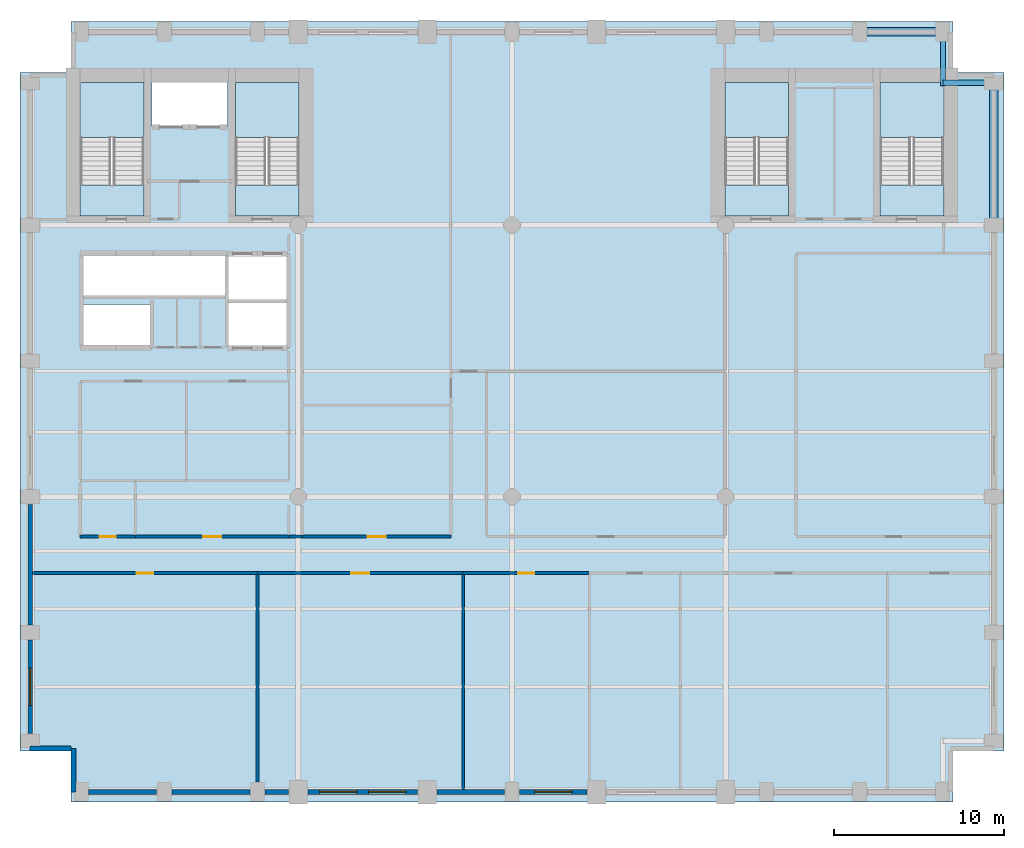
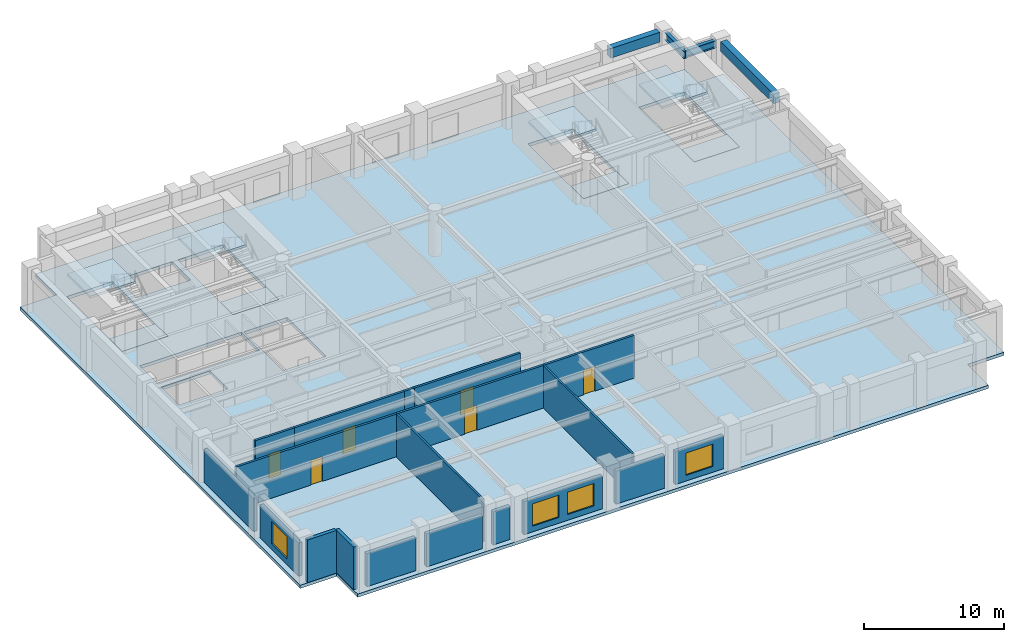
# One storey, part 2 of 8: 19 walls, 9 slabs, 6 doors, 4 beams, 4 windows, 10 openings, 4 elements without a shape of their own.
"""IFC4 building model written with IfcOpenShell, lengths in metres."""

from ifc_helpers import new_model, si_unit, direction, frame, frame_2d, origin, origin_2d, place, context, subcontext, project, spatial, polyline, rectangle, i_section, outline, extrude, material, layer, layer_set, material_profile, profile_set, type_object, element, fill, aggregate, save


model = new_model("IFC4")

# Units and contexts
model_context = context("Model", 3, precision=1e-05, world=origin(), true_north=direction((0.0, 1.0)))
body_context = subcontext(model_context, "Body", "Model", "MODEL_VIEW")
ifc_project = project(units=[si_unit("LENGTHUNIT", "METRE"), si_unit("AREAUNIT", "SQUARE_METRE"), si_unit("VOLUMEUNIT", "CUBIC_METRE"), si_unit("PLANEANGLEUNIT", "RADIAN"), si_unit("MASSUNIT", "GRAM", prefix="KILO")], contexts=[model_context])

# Site, building, storey
site_placement = place(None, origin())
site = spatial("IfcSite", under=ifc_project, at=site_placement, CompositionType="ELEMENT")
building_placement = place(site_placement, origin())
building = spatial("IfcBuilding", under=site, at=building_placement, Name="Sulina Concourse Tower", CompositionType="ELEMENT")
storey_placement = place(building_placement, frame((0.0, 0.0, 116.60009765625)))
storey = spatial("IfcBuildingStorey", under=building, at=storey_placement, Name="L28", CompositionType="ELEMENT", Elevation=116.60009765625)

# Beams
ifc_material_1 = material(Name="Steel S355", Category="steel")
ifc_material_profile_1 = material_profile(ifc_material_1, i_section(OverallWidth=0.300048828125, OverallDepth=0.64990234375, WebThickness=0.01611328125, FlangeThickness=0.031005859375, at=origin_2d()), Name="HE 650 B")
ifc_profile_set_1 = profile_set([ifc_material_profile_1], Name="Steel S355")
beam_type_1 = type_object("IfcBeamType", Name="Floor Primary Girder Zone 2 HE650B", PredefinedType="BEAM", material=ifc_profile_set_1)
beam_1_placement = place(storey_placement, frame((54.39990234375, 42.39990234375, 3.39990234375), z_axis=(1.0, 0.0, 0.0), x_axis=(0.0, 1.0, 0.0)))
element("IfcBeam", 1, at=beam_1_placement, inside=storey, type_object=beam_type_1, Name="TIE-NE-L28", PredefinedType="BEAM", context=body_context, shape_type="SweptSolid", body=[
    extrude(i_section(OverallWidth=0.300048828125, OverallDepth=0.64990234375, WebThickness=0.01611328125, FlangeThickness=0.031005859375, at=origin_2d()), origin(), (0.0, 0.0, 1.0), 2.59521484375),
])
beam_2_placement = place(storey_placement, frame((54.39990234375, 42.199951171875, 3.39990234375), z_axis=(0.0, 1.0, 0.0), x_axis=(-1.0, 0.0, 0.0)))
element("IfcBeam", 2, at=beam_2_placement, inside=storey, type_object=beam_type_1, Name="TIE-NEN-L28", PredefinedType="BEAM", context=body_context, shape_type="SweptSolid", body=[
    extrude(i_section(OverallWidth=0.300048828125, OverallDepth=0.64990234375, WebThickness=0.01611328125, FlangeThickness=0.031005859375, at=origin_2d()), origin(), (0.0, 0.0, 1.0), 2.795166015625),
])
ifc_material_2 = material(Name="Precast concrete C50/60", Category="concrete")
ifc_material_profile_2 = material_profile(ifc_material_2, rectangle(XDim=0.5, YDim=0.85009765625, at=origin_2d()), Name="RC 500x850")
ifc_profile_set_2 = profile_set([ifc_material_profile_2], Name="Precast concrete C50/60")
beam_type_2 = type_object("IfcBeamType", Name="Lower Precast Spandrel Edge Beam 500x850", PredefinedType="BEAM", material=ifc_profile_set_2)
beam_3_placement = place(storey_placement, frame((49.905029296875, 45.39990234375, 3.2998046875), z_axis=(1.0, 0.0, 0.0), x_axis=(0.0, 1.0, 0.0)))
element("IfcBeam", 3, at=beam_3_placement, inside=storey, type_object=beam_type_2, Name="SP-N10-L28", PredefinedType="BEAM", context=body_context, shape_type="SweptSolid", body=[
    extrude(rectangle(XDim=0.5, YDim=0.85009765625, at=origin_2d()), origin(), (0.0, 0.0, 1.0), 4.090087890625),
])
beam_4_placement = place(storey_placement, frame((57.39990234375, 34.405029296875, 3.2998046875), z_axis=(0.0, 1.0, 0.0), x_axis=(-1.0, 0.0, 0.0)))
element("IfcBeam", 4, at=beam_4_placement, inside=storey, type_object=beam_type_2, Name="SP-E5-L28", PredefinedType="BEAM", context=body_context, shape_type="SweptSolid", body=[
    extrude(rectangle(XDim=0.5, YDim=0.85009765625, at=origin_2d()), origin(), (0.0, 0.0, 1.0), 7.590087890625),
])

# Slabs
ifc_material_3 = material(Name="Concrete C50/60", Category="concrete")
ifc_layer_1 = layer(ifc_material_3, 0.27490234375)
ifc_layer_set_1 = layer_set([ifc_layer_1], Name="Concrete C50/60")
slab_type_1 = type_object("IfcSlabType", Name="Mid-Rise Composite Floor Slab 275mm", PredefinedType="FLOOR", material=ifc_layer_set_1)
slab_1_placement = place(storey_placement, frame((0.0, 0.0, -0.275146484375)))
element("IfcSlab", 5, at=slab_1_placement, inside=storey, type_object=slab_type_1, Name="L28 structural floor slab", PredefinedType="FLOOR", context=body_context, shape_type="SweptSolid", body=[
    extrude(outline(polyline([(3.0, 0.0), (55.0, 0.0), (55.0, 3.0), (58.0, 3.0), (58.0, 43.0), (55.0, 43.0), (55.0, 46.0), (3.0, 46.0), (3.0, 43.0), (0.0, 43.0), (0.0, 3.0), (3.0, 3.0), (3.0, 0.0)]), holes=[polyline([(7.31005859375, 34.550048828125), (7.31005859375, 42.429931640625), (3.550048828125, 42.429931640625), (3.550048828125, 34.550048828125), (7.31005859375, 34.550048828125)]), polyline([(16.449951171875, 34.550048828125), (16.449951171875, 42.429931640625), (12.68994140625, 42.429931640625), (12.68994140625, 34.550048828125), (16.449951171875, 34.550048828125)]), polyline([(45.31005859375, 34.550048828125), (45.31005859375, 42.429931640625), (41.550048828125, 42.429931640625), (41.550048828125, 34.550048828125), (45.31005859375, 34.550048828125)]), polyline([(54.449951171875, 34.550048828125), (54.449951171875, 42.429931640625), (50.68994140625, 42.429931640625), (50.68994140625, 34.550048828125), (54.449951171875, 34.550048828125)]), polyline([(7.780029296875, 39.830078125), (12.219970703125, 39.830078125), (12.219970703125, 42.449951171875), (7.780029296875, 42.449951171875), (7.780029296875, 39.830078125)]), polyline([(3.739990234375, 26.780029296875), (7.77001953125, 26.780029296875), (7.77001953125, 29.320068359375), (3.739990234375, 29.320068359375), (3.739990234375, 26.780029296875)]), polyline([(3.739990234375, 29.780029296875), (12.10009765625, 29.780029296875), (12.10009765625, 32.3701171875), (3.739990234375, 32.3701171875), (3.739990234375, 29.780029296875)]), polyline([(12.280029296875, 26.780029296875), (15.85009765625, 26.780029296875), (15.85009765625, 32.320068359375), (12.280029296875, 32.320068359375), (12.280029296875, 26.780029296875)])]), origin(), (0.0, 0.0, 1.0), 0.275146484375),
])
ifc_material_4 = material(Name="Concrete C50/60", Category="concrete")
ifc_layer_2 = layer(ifc_material_4, 0.199951171875)
ifc_layer_set_2 = layer_set([ifc_layer_2], Name="Concrete C50/60")
slab_type_2 = type_object("IfcSlabType", Name="Primary Core Stair Landing Slab 200mm", PredefinedType="LANDING", material=ifc_layer_set_2)
slab_2_placement = place(storey_placement, frame((0.0, 0.0, -0.2001953125)))
element("IfcSlab", 6, at=slab_2_placement, inside=storey, type_object=slab_type_2, Name="L28 ST-1 floor landing slab", PredefinedType="LANDING", context=body_context, shape_type="SweptSolid", body=[
    extrude(outline(polyline([(7.31005859375, 34.550048828125), (7.31005859375, 36.375), (3.550048828125, 36.375), (3.550048828125, 34.550048828125), (7.31005859375, 34.550048828125)])), origin(), (0.0, 0.0, 1.0), 0.2001953125),
])
slab_3_placement = place(storey_placement, frame((0.0, 0.0, -0.2001953125)))
element("IfcSlab", 7, at=slab_3_placement, inside=storey, type_object=slab_type_2, Name="L28 ST-2 floor landing slab", PredefinedType="LANDING", context=body_context, shape_type="SweptSolid", body=[
    extrude(outline(polyline([(16.449951171875, 34.550048828125), (16.449951171875, 36.375), (12.68994140625, 36.375), (12.68994140625, 34.550048828125), (16.449951171875, 34.550048828125)])), origin(), (0.0, 0.0, 1.0), 0.2001953125),
])
slab_4_placement = place(storey_placement, frame((0.0, 0.0, -0.2001953125)))
element("IfcSlab", 8, at=slab_4_placement, inside=storey, type_object=slab_type_2, Name="L28 ST-3 floor landing slab", PredefinedType="LANDING", context=body_context, shape_type="SweptSolid", body=[
    extrude(outline(polyline([(45.31005859375, 34.550048828125), (45.31005859375, 36.375), (41.550048828125, 36.375), (41.550048828125, 34.550048828125), (45.31005859375, 34.550048828125)])), origin(), (0.0, 0.0, 1.0), 0.2001953125),
])
slab_5_placement = place(storey_placement, frame((0.0, 0.0, -0.2001953125)))
element("IfcSlab", 9, at=slab_5_placement, inside=storey, type_object=slab_type_2, Name="L28 ST-4 floor landing slab", PredefinedType="LANDING", context=body_context, shape_type="SweptSolid", body=[
    extrude(outline(polyline([(54.449951171875, 34.550048828125), (54.449951171875, 36.375), (50.68994140625, 36.375), (50.68994140625, 34.550048828125), (54.449951171875, 34.550048828125)])), origin(), (0.0, 0.0, 1.0), 0.2001953125),
])

# Stair, slab
ifc_material_5 = material(Name="Concrete C50/60", Category="concrete")
stair_type_1 = type_object("IfcStairType", Name="Primary Core Dog-Leg Exit Stair 1800mm", PredefinedType="HALF_TURN_STAIR", material=ifc_material_5)
stair_1_placement = place(storey_placement, origin())
stair_1 = element("IfcStair", 10, at=stair_1_placement, inside=storey, type_object=stair_type_1, Name="L28 ST-1", PredefinedType="HALF_TURN_STAIR")
slab_6_placement = place(storey_placement, frame((0.0, 0.0, 1.7998046875)))
slab_6 = element("IfcSlab", 11, at=slab_6_placement, type_object=slab_type_2, Name="ST-1 landing 1", PredefinedType="LANDING", context=body_context, shape_type="SweptSolid", body=[
    extrude(outline(polyline([(7.304931640625, 39.175048828125), (7.304931640625, 42.425048828125), (3.554931640625, 42.425048828125), (3.554931640625, 39.175048828125), (7.304931640625, 39.175048828125)])), origin(), (0.0, 0.0, 1.0), 0.2001953125),
])
aggregate(stair_1, [slab_6])

stair_2_placement = place(storey_placement, origin())
stair_2 = element("IfcStair", 12, at=stair_2_placement, inside=storey, type_object=stair_type_1, Name="L28 ST-2", PredefinedType="HALF_TURN_STAIR")
slab_7_placement = place(storey_placement, frame((0.0, 0.0, 1.7998046875)))
slab_7 = element("IfcSlab", 13, at=slab_7_placement, type_object=slab_type_2, Name="ST-2 landing 1", PredefinedType="LANDING", context=body_context, shape_type="SweptSolid", body=[
    extrude(outline(polyline([(16.445068359375, 39.175048828125), (16.445068359375, 42.425048828125), (12.695068359375, 42.425048828125), (12.695068359375, 39.175048828125), (16.445068359375, 39.175048828125)])), origin(), (0.0, 0.0, 1.0), 0.2001953125),
])
aggregate(stair_2, [slab_7])

ifc_material_6 = material(Name="Concrete C50/60", Category="concrete")
stair_type_2 = type_object("IfcStairType", Name="Portal & Podium Core Exit Stair 1820mm", PredefinedType="HALF_TURN_STAIR", material=ifc_material_6)
stair_3_placement = place(storey_placement, origin())
stair_3 = element("IfcStair", 14, at=stair_3_placement, inside=storey, type_object=stair_type_2, Name="L28 ST-3", PredefinedType="HALF_TURN_STAIR")
slab_8_placement = place(storey_placement, frame((0.0, 0.0, 1.7998046875)))
slab_8 = element("IfcSlab", 15, at=slab_8_placement, type_object=slab_type_2, Name="ST-3 landing 1", PredefinedType="LANDING", context=body_context, shape_type="SweptSolid", body=[
    extrude(outline(polyline([(45.304931640625, 39.175048828125), (45.304931640625, 42.425048828125), (41.554931640625, 42.425048828125), (41.554931640625, 39.175048828125), (45.304931640625, 39.175048828125)])), origin(), (0.0, 0.0, 1.0), 0.2001953125),
])
aggregate(stair_3, [slab_8])

stair_4_placement = place(storey_placement, origin())
stair_4 = element("IfcStair", 16, at=stair_4_placement, inside=storey, type_object=stair_type_2, Name="L28 ST-4", PredefinedType="HALF_TURN_STAIR")
slab_9_placement = place(storey_placement, frame((0.0, 0.0, 1.7998046875)))
slab_9 = element("IfcSlab", 17, at=slab_9_placement, type_object=slab_type_2, Name="ST-4 landing 1", PredefinedType="LANDING", context=body_context, shape_type="SweptSolid", body=[
    extrude(outline(polyline([(54.445068359375, 39.175048828125), (54.445068359375, 42.425048828125), (50.695068359375, 42.425048828125), (50.695068359375, 39.175048828125), (54.445068359375, 39.175048828125)])), origin(), (0.0, 0.0, 1.0), 0.2001953125),
])
aggregate(stair_4, [slab_9])

# Walls
ifc_material_7 = material(Name="Gypsum board on steel stud", Category="steel")
ifc_layer_3 = layer(ifc_material_7, 0.14990234375)
ifc_layer_set_3 = layer_set([ifc_layer_3], Name="Gypsum board on steel stud")
wall_type_1 = type_object("IfcWallType", Name="Inter-Tenancy Acoustic Partition 150mm", PredefinedType="PARTITIONING", material=ifc_layer_set_3)
wall_1_placement = place(storey_placement, frame((14.0, 1.175048828125, 0.0), z_axis=(0.0, 0.0, 1.0), x_axis=(0.0, 1.0, 0.0)))
element("IfcWall", 18, at=wall_1_placement, inside=storey, type_object=wall_type_1, Name="L28 interior partition 037", PredefinedType="PARTITIONING", context=body_context, shape_type="SweptSolid", body=[
    extrude(rectangle(XDim=12.23486328125, YDim=0.14990234375, at=frame_2d((6.117431640625, 0.0))), origin(), (0.0, 0.0, 1.0), 3.724853515625),
])
wall_2_placement = place(storey_placement, frame((26.1201171875, 0.739990234375, 0.0), z_axis=(0.0, 0.0, 1.0), x_axis=(0.0, 1.0, 0.0)))
element("IfcWall", 19, at=wall_2_placement, inside=storey, type_object=wall_type_1, Name="L28 interior partition 048", PredefinedType="PARTITIONING", context=body_context, shape_type="SweptSolid", body=[
    extrude(rectangle(XDim=12.669921875, YDim=0.14990234375, at=frame_2d((6.3349609375, 0.0))), origin(), (0.0, 0.0, 1.0), 3.724853515625),
])

# Wall, opening, door
ifc_material_8 = material(Name="Gypsum board on steel stud", Category="steel")
ifc_layer_4 = layer(ifc_material_8, 0.179931640625)
ifc_layer_set_4 = layer_set([ifc_layer_4], Name="Gypsum board on steel stud")
wall_type_2 = type_object("IfcWallType", Name="Protected Corridor & Riser Partition 180mm", PredefinedType="PARTITIONING", material=ifc_layer_set_4)
wall_3_placement = place(storey_placement, frame((0.739990234375, 13.5, 0.0), z_axis=(0.0, 0.0, 1.0), x_axis=(1.0, 0.0, 0.0)))
wall_3 = element("IfcWall", 20, at=wall_3_placement, inside=storey, type_object=wall_type_2, Name="L28 interior partition 001", PredefinedType="PARTITIONING", context=body_context, shape_type="SweptSolid", body=[
    extrude(rectangle(XDim=13.260009765625, YDim=0.179931640625, at=frame_2d((6.6298828125, 0.0))), origin(), (0.0, 0.0, 1.0), 3.724853515625),
])
opening_1_placement = place(wall_3_placement, frame((6.155029296875, 0.0, 0.0)))
opening_1 = element("IfcOpeningElement", 21, at=opening_1_placement, cuts=wall_3, Name="Opening DR-19", PredefinedType="OPENING", context=body_context, shape_type="SweptSolid", body=[
    extrude(rectangle(XDim=0.949951171875, YDim=2.14990234375, at=frame_2d((0.47509765625, 1.074951171875))), frame((0.0, 0.099853515625, 0.0), z_axis=(0.0, -1.0, 0.0), x_axis=(1.0, 0.0, 0.0)), (0.0, 0.0, 1.0), 0.199951171875),
])
ifc_material_9 = material(Name="Oak-veneered acoustic timber leaf", Category="wood")
ifc_layer_5 = layer(ifc_material_9, 0.050048828125)
ifc_layer_set_5 = layer_set([ifc_layer_5], Name="Oak-veneered acoustic timber leaf")
door_type_1 = type_object("IfcDoorType", Name="Cellular Office & Meeting Door 950x2150", OperationType="NOTDEFINED", PredefinedType="DOOR", material=ifc_layer_set_5)
door_1_placement = place(opening_1_placement, origin())
door_1 = element("IfcDoor", 22, at=door_1_placement, inside=storey, type_object=door_type_1, Name="L28 interior door L28-S01", OperationType="SINGLE_SWING_RIGHT", OverallHeight=2.14990234375, OverallWidth=0.949951171875, PredefinedType="DOOR", context=body_context, shape_type="SweptSolid", body=[
    extrude(rectangle(XDim=0.949951171875, YDim=2.14990234375, at=frame_2d((0.47509765625, 1.074951171875))), frame((0.0, 0.02490234375, 0.0), z_axis=(0.0, -1.0, 0.0), x_axis=(1.0, 0.0, 0.0)), (0.0, 0.0, 1.0), 0.050048828125),
])
fill(opening_1, door_1)

wall_4_placement = place(storey_placement, frame((14.0, 13.5, 0.0), z_axis=(0.0, 0.0, 1.0), x_axis=(1.0, 0.0, 0.0)))
wall_4 = element("IfcWall", 23, at=wall_4_placement, inside=storey, type_object=wall_type_2, Name="L28 interior partition 002", PredefinedType="PARTITIONING", context=body_context, shape_type="SweptSolid", body=[
    extrude(rectangle(XDim=12.1201171875, YDim=0.179931640625, at=frame_2d((6.06005859375, 0.0))), origin(), (0.0, 0.0, 1.0), 3.724853515625),
])
opening_2_placement = place(wall_4_placement, frame((5.534912109375, 0.0, 0.0)))
opening_2 = element("IfcOpeningElement", 24, at=opening_2_placement, cuts=wall_4, Name="Opening DR-37", PredefinedType="OPENING", context=body_context, shape_type="SweptSolid", body=[
    extrude(rectangle(XDim=1.050048828125, YDim=2.14990234375, at=frame_2d((0.52490234375, 1.074951171875))), frame((0.0, 0.099853515625, 0.0), z_axis=(0.0, -1.0, 0.0), x_axis=(1.0, 0.0, 0.0)), (0.0, 0.0, 1.0), 0.199951171875),
])
ifc_material_10 = material(Name="Oak-veneered fire door leaf")
ifc_layer_6 = layer(ifc_material_10, 0.050048828125)
ifc_layer_set_6 = layer_set([ifc_layer_6], Name="Oak-veneered fire door leaf")
door_type_2 = type_object("IfcDoorType", Name="Tenant Suite Entrance Fire Door 1050x2150", OperationType="NOTDEFINED", PredefinedType="DOOR", material=ifc_layer_set_6)
door_2_placement = place(opening_2_placement, origin())
door_2 = element("IfcDoor", 25, at=door_2_placement, inside=storey, type_object=door_type_2, Name="L28 interior door L28-S02", OperationType="SINGLE_SWING_LEFT", OverallHeight=2.14990234375, OverallWidth=1.050048828125, PredefinedType="DOOR", context=body_context, shape_type="SweptSolid", body=[
    extrude(rectangle(XDim=1.050048828125, YDim=2.14990234375, at=frame_2d((0.52490234375, 1.074951171875))), frame((0.0, 0.02490234375, 0.0), z_axis=(0.0, -1.0, 0.0), x_axis=(1.0, 0.0, 0.0)), (0.0, 0.0, 1.0), 0.050048828125),
])
fill(opening_2, door_2)

wall_5_placement = place(storey_placement, frame((26.1201171875, 13.5, 0.0), z_axis=(0.0, 0.0, 1.0), x_axis=(1.0, 0.0, 0.0)))
wall_5 = element("IfcWall", 26, at=wall_5_placement, inside=storey, type_object=wall_type_2, Name="L28 interior partition 003", PredefinedType="PARTITIONING", context=body_context, shape_type="SweptSolid", body=[
    extrude(rectangle(XDim=7.419921875, YDim=0.179931640625, at=frame_2d((3.7099609375, 0.0))), origin(), (0.0, 0.0, 1.0), 3.724853515625),
])
opening_3_placement = place(wall_5_placement, frame((3.235107421875, 0.0, 0.0)))
opening_3 = element("IfcOpeningElement", 27, at=opening_3_placement, cuts=wall_5, Name="Opening DR-19", PredefinedType="OPENING", context=body_context, shape_type="SweptSolid", body=[
    extrude(rectangle(XDim=0.949951171875, YDim=2.14990234375, at=frame_2d((0.47509765625, 1.074951171875))), frame((0.0, 0.099853515625, 0.0), z_axis=(0.0, -1.0, 0.0), x_axis=(1.0, 0.0, 0.0)), (0.0, 0.0, 1.0), 0.199951171875),
])
door_3_placement = place(opening_3_placement, origin())
door_3 = element("IfcDoor", 28, at=door_3_placement, inside=storey, type_object=door_type_1, Name="L28 interior door L28-S03A", OperationType="SINGLE_SWING_RIGHT", OverallHeight=2.14990234375, OverallWidth=0.949951171875, PredefinedType="DOOR", context=body_context, shape_type="SweptSolid", body=[
    extrude(rectangle(XDim=0.949951171875, YDim=2.14990234375, at=frame_2d((0.47509765625, 1.074951171875))), frame((0.0, 0.02490234375, 0.0), z_axis=(0.0, -1.0, 0.0), x_axis=(1.0, 0.0, 0.0)), (0.0, 0.0, 1.0), 0.050048828125),
])
fill(opening_3, door_3)

wall_6_placement = place(storey_placement, frame((3.550048828125, 15.64990234375, 0.0), z_axis=(0.0, 0.0, 1.0), x_axis=(1.0, 0.0, 0.0)))
wall_6 = element("IfcWall", 29, at=wall_6_placement, inside=storey, type_object=wall_type_2, Name="L28 interior partition 007", PredefinedType="PARTITIONING", context=body_context, shape_type="SweptSolid", body=[
    extrude(rectangle(XDim=3.25, YDim=0.179931640625, at=frame_2d((1.625, 0.0))), origin(), (0.0, 0.0, 1.0), 3.724853515625),
])
opening_4_placement = place(wall_6_placement, frame((1.14990234375, 0.0, 0.0)))
opening_4 = element("IfcOpeningElement", 30, at=opening_4_placement, cuts=wall_6, Name="Opening DR-19", PredefinedType="OPENING", context=body_context, shape_type="SweptSolid", body=[
    extrude(rectangle(XDim=0.949951171875, YDim=2.14990234375, at=frame_2d((0.47509765625, 1.074951171875))), frame((0.0, 0.099853515625, 0.0), z_axis=(0.0, -1.0, 0.0), x_axis=(1.0, 0.0, 0.0)), (0.0, 0.0, 1.0), 0.199951171875),
])
door_4_placement = place(opening_4_placement, origin())
door_4 = element("IfcDoor", 31, at=door_4_placement, inside=storey, type_object=door_type_1, Name="L28 interior door L28-WSB-1", OperationType="SINGLE_SWING_RIGHT", OverallHeight=2.14990234375, OverallWidth=0.949951171875, PredefinedType="DOOR", context=body_context, shape_type="SweptSolid", body=[
    extrude(rectangle(XDim=0.949951171875, YDim=2.14990234375, at=frame_2d((0.47509765625, 1.074951171875))), frame((0.0, 0.02490234375, 0.0), z_axis=(0.0, -1.0, 0.0), x_axis=(1.0, 0.0, 0.0)), (0.0, 0.0, 1.0), 0.050048828125),
])
fill(opening_4, door_4)

wall_7_placement = place(storey_placement, frame((6.800048828125, 15.64990234375, 0.0), z_axis=(0.0, 0.0, 1.0), x_axis=(1.0, 0.0, 0.0)))
wall_7 = element("IfcWall", 32, at=wall_7_placement, inside=storey, type_object=wall_type_2, Name="L28 interior partition 008", PredefinedType="PARTITIONING", context=body_context, shape_type="SweptSolid", body=[
    extrude(rectangle(XDim=9.050048828125, YDim=0.179931640625, at=frame_2d((4.52490234375, 0.0))), origin(), (0.0, 0.0, 1.0), 3.724853515625),
])
opening_5_placement = place(wall_7_placement, frame((4.0, 0.0, 0.0)))
opening_5 = element("IfcOpeningElement", 33, at=opening_5_placement, cuts=wall_7, Name="Opening DR-37", PredefinedType="OPENING", context=body_context, shape_type="SweptSolid", body=[
    extrude(rectangle(XDim=1.050048828125, YDim=2.14990234375, at=frame_2d((0.52490234375, 1.074951171875))), frame((0.0, 0.099853515625, 0.0), z_axis=(0.0, -1.0, 0.0), x_axis=(1.0, 0.0, 0.0)), (0.0, 0.0, 1.0), 0.199951171875),
])
door_5_placement = place(opening_5_placement, origin())
door_5 = element("IfcDoor", 34, at=door_5_placement, inside=storey, type_object=door_type_2, Name="L28 interior door L28-WSB-2", OperationType="SINGLE_SWING_LEFT", OverallHeight=2.14990234375, OverallWidth=1.050048828125, PredefinedType="DOOR", context=body_context, shape_type="SweptSolid", body=[
    extrude(rectangle(XDim=1.050048828125, YDim=2.14990234375, at=frame_2d((0.52490234375, 1.074951171875))), frame((0.0, 0.02490234375, 0.0), z_axis=(0.0, -1.0, 0.0), x_axis=(1.0, 0.0, 0.0)), (0.0, 0.0, 1.0), 0.050048828125),
])
fill(opening_5, door_5)

# Wall
wall_8_placement = place(storey_placement, frame((15.85009765625, 15.64990234375, 0.0), z_axis=(0.0, 0.0, 1.0), x_axis=(1.0, 0.0, 0.0)))
element("IfcWall", 35, at=wall_8_placement, inside=storey, type_object=wall_type_2, Name="L28 interior partition 009", PredefinedType="PARTITIONING", context=body_context, shape_type="SweptSolid", body=[
    extrude(rectangle(XDim=0.7998046875, YDim=0.179931640625, at=frame_2d((0.39990234375, 0.0))), origin(), (0.0, 0.0, 1.0), 3.724853515625),
])

# Wall, opening, door
wall_9_placement = place(storey_placement, frame((16.64990234375, 15.64990234375, 0.0), z_axis=(0.0, 0.0, 1.0), x_axis=(1.0, 0.0, 0.0)))
wall_9 = element("IfcWall", 36, at=wall_9_placement, inside=storey, type_object=wall_type_2, Name="L28 interior partition 010", PredefinedType="PARTITIONING", context=body_context, shape_type="SweptSolid", body=[
    extrude(rectangle(XDim=8.75, YDim=0.179931640625, at=frame_2d((4.375, 0.0))), origin(), (0.0, 0.0, 1.0), 3.724853515625),
])
opening_6_placement = place(wall_9_placement, frame((3.85009765625, 0.0, 0.0)))
opening_6 = element("IfcOpeningElement", 37, at=opening_6_placement, cuts=wall_9, Name="Opening DR-37", PredefinedType="OPENING", context=body_context, shape_type="SweptSolid", body=[
    extrude(rectangle(XDim=1.050048828125, YDim=2.14990234375, at=frame_2d((0.52490234375, 1.074951171875))), frame((0.0, 0.099853515625, 0.0), z_axis=(0.0, -1.0, 0.0), x_axis=(1.0, 0.0, 0.0)), (0.0, 0.0, 1.0), 0.199951171875),
])
door_6_placement = place(opening_6_placement, origin())
door_6 = element("IfcDoor", 38, at=door_6_placement, inside=storey, type_object=door_type_2, Name="L28 interior door L28-NC1", OperationType="SINGLE_SWING_RIGHT", OverallHeight=2.14990234375, OverallWidth=1.050048828125, PredefinedType="DOOR", context=body_context, shape_type="SweptSolid", body=[
    extrude(rectangle(XDim=1.050048828125, YDim=2.14990234375, at=frame_2d((0.52490234375, 1.074951171875))), frame((0.0, 0.02490234375, 0.0), z_axis=(0.0, -1.0, 0.0), x_axis=(1.0, 0.0, 0.0)), (0.0, 0.0, 1.0), 0.050048828125),
])
fill(opening_6, door_6)

# Walls
ifc_material_11 = material(Name="Precast concrete C50/60", Category="concrete")
ifc_layer_7 = layer(ifc_material_11, 0.280029296875)
ifc_layer_set_7 = layer_set([ifc_layer_7], Name="Precast concrete C50/60")
wall_type_3 = type_object("IfcWallType", Name="Typical Precast Masonry-Frame Facade Wall 280mm", PredefinedType="SOLIDWALL", material=ifc_layer_set_7)
wall_10_placement = place(storey_placement, frame((8.054931640625, 0.60009765625, 0.0), z_axis=(0.0, 0.0, 1.0), x_axis=(-1.0, 0.0, 0.0)))
element("IfcWall", 39, at=wall_10_placement, inside=storey, type_object=wall_type_3, Name="L28 exterior precast wall S1", PredefinedType="SOLIDWALL", context=body_context, shape_type="SweptSolid", body=[
    extrude(rectangle(XDim=4.010009765625, YDim=0.280029296875, at=frame_2d((2.0048828125, 0.0))), origin(), (0.0, 0.0, 1.0), 2.875),
])
wall_11_placement = place(storey_placement, frame((13.554931640625, 0.60009765625, 0.0), z_axis=(0.0, 0.0, 1.0), x_axis=(-1.0, 0.0, 0.0)))
element("IfcWall", 40, at=wall_11_placement, inside=storey, type_object=wall_type_3, Name="L28 exterior precast wall S2", PredefinedType="SOLIDWALL", context=body_context, shape_type="SweptSolid", body=[
    extrude(rectangle(XDim=4.60986328125, YDim=0.280029296875, at=frame_2d((2.304931640625, 0.0))), origin(), (0.0, 0.0, 1.0), 2.875),
])
wall_12_placement = place(storey_placement, frame((15.830078125, 0.60009765625, 0.0), z_axis=(0.0, 0.0, 1.0), x_axis=(-1.0, 0.0, 0.0)))
element("IfcWall", 41, at=wall_12_placement, inside=storey, type_object=wall_type_3, Name="L28 exterior precast wall S3", PredefinedType="SOLIDWALL", context=body_context, shape_type="SweptSolid", body=[
    extrude(rectangle(XDim=1.385009765625, YDim=0.280029296875, at=frame_2d((0.6923828125, 0.0))), origin(), (0.0, 0.0, 1.0), 2.875),
])

# Wall, openings, windows
wall_13_placement = place(storey_placement, frame((23.429931640625, 0.60009765625, 0.0), z_axis=(0.0, 0.0, 1.0), x_axis=(-1.0, 0.0, 0.0)))
wall_13 = element("IfcWall", 42, at=wall_13_placement, inside=storey, type_object=wall_type_3, Name="L28 exterior precast wall S4", PredefinedType="SOLIDWALL", context=body_context, shape_type="SweptSolid", body=[
    extrude(rectangle(XDim=6.4599609375, YDim=0.280029296875, at=frame_2d((3.22998046875, 0.0))), origin(), (0.0, 0.0, 1.0), 2.875),
])
opening_7_placement = place(wall_13_placement, frame((0.686767578125, 0.0, 0.5)))
opening_7 = element("IfcOpeningElement", 43, at=opening_7_placement, cuts=wall_13, Name="Opening WN-76", PredefinedType="OPENING", context=body_context, shape_type="SweptSolid", body=[
    extrude(rectangle(XDim=2.199951171875, YDim=1.949951171875, at=frame_2d((1.10009765625, 0.97509765625))), frame((0.0, 0.14990234375, 0.0), z_axis=(0.0, -1.0, 0.0), x_axis=(1.0, 0.0, 0.0)), (0.0, 0.0, 1.0), 0.300048828125),
])
opening_8_placement = place(wall_13_placement, frame((3.5732421875, 0.0, 0.5)))
opening_8 = element("IfcOpeningElement", 44, at=opening_8_placement, cuts=wall_13, Name="Opening WN-76", PredefinedType="OPENING", context=body_context, shape_type="SweptSolid", body=[
    extrude(rectangle(XDim=2.199951171875, YDim=1.949951171875, at=frame_2d((1.10009765625, 0.97509765625))), frame((0.0, 0.14990234375, 0.0), z_axis=(0.0, -1.0, 0.0), x_axis=(1.0, 0.0, 0.0)), (0.0, 0.0, 1.0), 0.300048828125),
])
ifc_material_12 = material(Name="Low-E solar double glazing in bronze aluminium", Category="aluminium")
window_type = type_object("IfcWindowType", Name="Recessed Spandrel Window 2200x1950", PartitioningType="DOUBLE_PANEL_VERTICAL", PredefinedType="WINDOW", material=ifc_material_12)
window_1_placement = place(opening_7_placement, origin())
window_1 = element("IfcWindow", 45, at=window_1_placement, inside=storey, type_object=window_type, Name="L28 punched window S4-1", OverallHeight=1.949951171875, OverallWidth=2.199951171875, PartitioningType="SINGLE_PANEL", PredefinedType="WINDOW", context=body_context, shape_type="SweptSolid", body=[
    extrude(rectangle(XDim=2.199951171875, YDim=1.949951171875, at=frame_2d((1.10009765625, 0.97509765625))), frame((0.0, 0.030029296875, 0.0), z_axis=(0.0, -1.0, 0.0), x_axis=(1.0, 0.0, 0.0)), (0.0, 0.0, 1.0), 0.06005859375),
])
fill(opening_7, window_1)
window_2_placement = place(opening_8_placement, origin())
window_2 = element("IfcWindow", 46, at=window_2_placement, inside=storey, type_object=window_type, Name="L28 punched window S4-2", OverallHeight=1.949951171875, OverallWidth=2.199951171875, PartitioningType="SINGLE_PANEL", PredefinedType="WINDOW", context=body_context, shape_type="SweptSolid", body=[
    extrude(rectangle(XDim=2.199951171875, YDim=1.949951171875, at=frame_2d((1.10009765625, 0.97509765625))), frame((0.0, 0.030029296875, 0.0), z_axis=(0.0, -1.0, 0.0), x_axis=(1.0, 0.0, 0.0)), (0.0, 0.0, 1.0), 0.06005859375),
])
fill(opening_8, window_2)

# Wall
wall_14_placement = place(storey_placement, frame((28.554931640625, 0.60009765625, 0.0), z_axis=(0.0, 0.0, 1.0), x_axis=(-1.0, 0.0, 0.0)))
element("IfcWall", 47, at=wall_14_placement, inside=storey, type_object=wall_type_3, Name="L28 exterior precast wall S5", PredefinedType="SOLIDWALL", context=body_context, shape_type="SweptSolid", body=[
    extrude(rectangle(XDim=3.98486328125, YDim=0.280029296875, at=frame_2d((1.992431640625, 0.0))), origin(), (0.0, 0.0, 1.0), 2.875),
])

# Wall, opening, window
wall_15_placement = place(storey_placement, frame((33.429931640625, 0.60009765625, 0.0), z_axis=(0.0, 0.0, 1.0), x_axis=(-1.0, 0.0, 0.0)))
wall_15 = element("IfcWall", 48, at=wall_15_placement, inside=storey, type_object=wall_type_3, Name="L28 exterior precast wall S6", PredefinedType="SOLIDWALL", context=body_context, shape_type="SweptSolid", body=[
    extrude(rectangle(XDim=3.98486328125, YDim=0.280029296875, at=frame_2d((1.992431640625, 0.0))), origin(), (0.0, 0.0, 1.0), 2.875),
])
opening_9_placement = place(wall_15_placement, frame((0.892578125, 0.0, 0.5)))
opening_9 = element("IfcOpeningElement", 49, at=opening_9_placement, cuts=wall_15, Name="Opening WN-76", PredefinedType="OPENING", context=body_context, shape_type="SweptSolid", body=[
    extrude(rectangle(XDim=2.199951171875, YDim=1.949951171875, at=frame_2d((1.10009765625, 0.97509765625))), frame((0.0, 0.14990234375, 0.0), z_axis=(0.0, -1.0, 0.0), x_axis=(1.0, 0.0, 0.0)), (0.0, 0.0, 1.0), 0.300048828125),
])
window_3_placement = place(opening_9_placement, origin())
window_3 = element("IfcWindow", 50, at=window_3_placement, inside=storey, type_object=window_type, Name="L28 punched window S6-1", OverallHeight=1.949951171875, OverallWidth=2.199951171875, PartitioningType="SINGLE_PANEL", PredefinedType="WINDOW", context=body_context, shape_type="SweptSolid", body=[
    extrude(rectangle(XDim=2.199951171875, YDim=1.949951171875, at=frame_2d((1.10009765625, 0.97509765625))), frame((0.0, 0.030029296875, 0.0), z_axis=(0.0, -1.0, 0.0), x_axis=(1.0, 0.0, 0.0)), (0.0, 0.0, 1.0), 0.06005859375),
])
fill(opening_9, window_3)

wall_16_placement = place(storey_placement, frame((0.60009765625, 4.044921875, 0.0), z_axis=(0.0, 0.0, 1.0), x_axis=(0.0, 1.0, 0.0)))
wall_16 = element("IfcWall", 51, at=wall_16_placement, inside=storey, type_object=wall_type_3, Name="L28 exterior precast wall W1", PredefinedType="SOLIDWALL", context=body_context, shape_type="SweptSolid", body=[
    extrude(rectangle(XDim=5.510009765625, YDim=0.280029296875, at=frame_2d((2.7548828125, 0.0))), origin(), (0.0, 0.0, 1.0), 2.875),
])
opening_10_placement = place(wall_16_placement, frame((1.655029296875, 0.0, 0.5)))
opening_10 = element("IfcOpeningElement", 52, at=opening_10_placement, cuts=wall_16, Name="Opening WN-76", PredefinedType="OPENING", context=body_context, shape_type="SweptSolid", body=[
    extrude(rectangle(XDim=2.199951171875, YDim=1.949951171875, at=frame_2d((1.10009765625, 0.97509765625))), frame((0.0, 0.14990234375, 0.0), z_axis=(0.0, -1.0, 0.0), x_axis=(1.0, 0.0, 0.0)), (0.0, 0.0, 1.0), 0.300048828125),
])
window_4_placement = place(opening_10_placement, origin())
window_4 = element("IfcWindow", 53, at=window_4_placement, inside=storey, type_object=window_type, Name="L28 punched window W1-1", OverallHeight=1.949951171875, OverallWidth=2.199951171875, PartitioningType="SINGLE_PANEL", PredefinedType="WINDOW", context=body_context, shape_type="SweptSolid", body=[
    extrude(rectangle(XDim=2.199951171875, YDim=1.949951171875, at=frame_2d((1.10009765625, 0.97509765625))), frame((0.0, 0.030029296875, 0.0), z_axis=(0.0, -1.0, 0.0), x_axis=(1.0, 0.0, 0.0)), (0.0, 0.0, 1.0), 0.06005859375),
])
fill(opening_10, window_4)

# Walls
wall_17_placement = place(storey_placement, frame((0.60009765625, 10.445068359375, 0.0), z_axis=(0.0, 0.0, 1.0), x_axis=(0.0, 1.0, 0.0)))
element("IfcWall", 54, at=wall_17_placement, inside=storey, type_object=wall_type_3, Name="L28 exterior precast wall W2", PredefinedType="SOLIDWALL", context=body_context, shape_type="SweptSolid", body=[
    extrude(rectangle(XDim=7.10986328125, YDim=0.280029296875, at=frame_2d((3.554931640625, 0.0))), origin(), (0.0, 0.0, 1.0), 2.875),
])
wall_18_placement = place(storey_placement, frame((3.155029296875, 0.60009765625, 0.0), z_axis=(0.0, 0.0, 1.0), x_axis=(0.0, 1.0, 0.0)))
element("IfcWall", 55, at=wall_18_placement, inside=storey, type_object=wall_type_3, Name="L28 exterior precast wall CSW1", PredefinedType="SOLIDWALL", context=body_context, shape_type="SweptSolid", body=[
    extrude(rectangle(XDim=2.554931640625, YDim=0.280029296875, at=frame_2d((1.27734375, 0.0))), origin(), (0.0, 0.0, 1.0), 3.724853515625),
])
wall_19_placement = place(storey_placement, frame((3.010009765625, 3.155029296875, 0.0), z_axis=(0.0, 0.0, 1.0), x_axis=(-1.0, 0.0, 0.0)))
element("IfcWall", 56, at=wall_19_placement, inside=storey, type_object=wall_type_3, Name="L28 exterior precast wall CSW2", PredefinedType="SOLIDWALL", context=body_context, shape_type="SweptSolid", body=[
    extrude(rectangle(XDim=2.409912109375, YDim=0.280029296875, at=frame_2d((1.205078125, 0.0))), origin(), (0.0, 0.0, 1.0), 3.724853515625),
])

save(model, "model.ifc")
